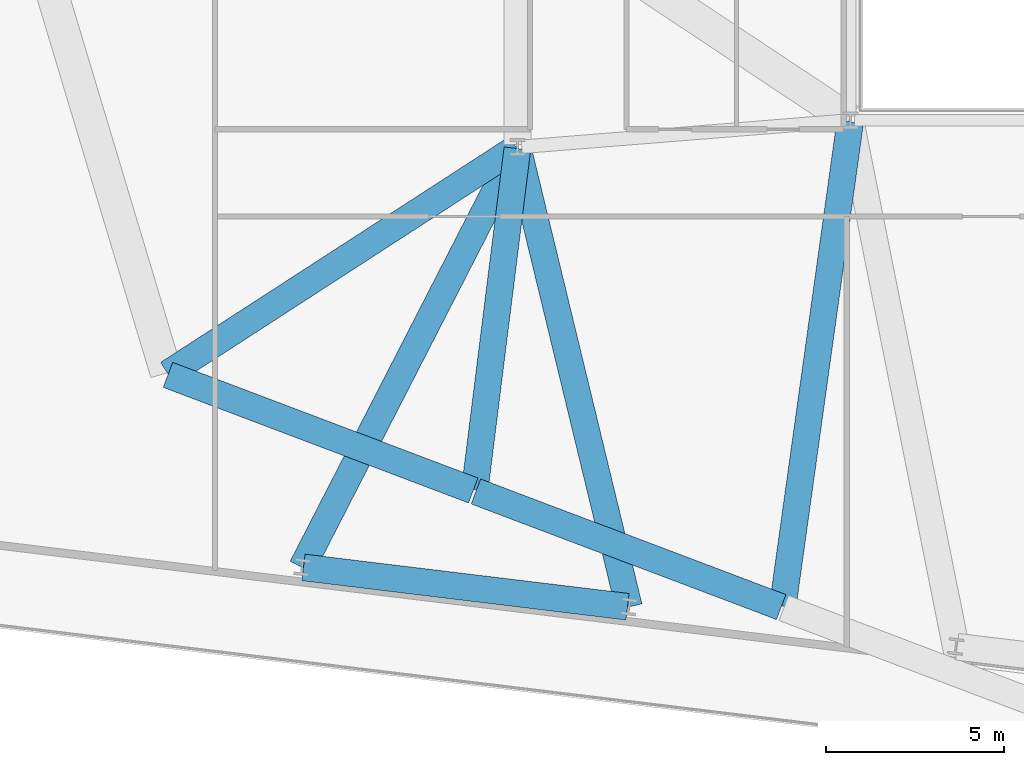
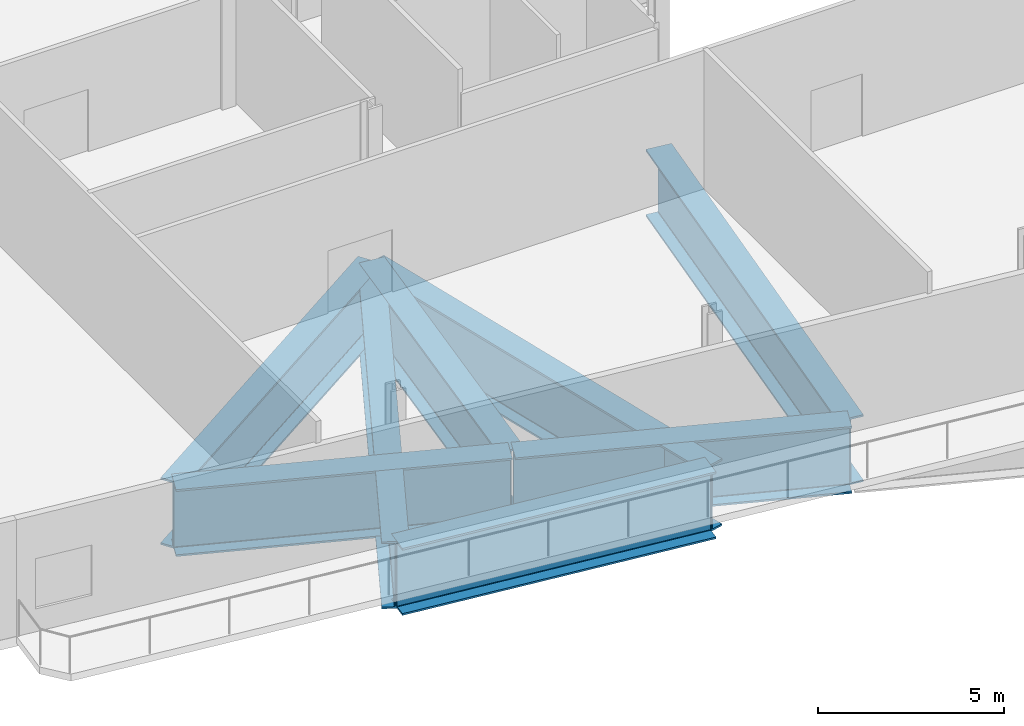
# One storey, part 3 of 22: 8 beams.
"""IFC4 building model written with IfcOpenShell, lengths in metres."""

from ifc_helpers import new_model, si_unit, direction, frame, origin, origin_2d, place, context, subcontext, project, spatial, i_section, extrude, material, material_profile, profile_set, type_object, element, save


model = new_model("IFC4")

# Units and contexts
model_context = context("Model", 3, precision=1e-05, world=origin(), true_north=direction((0.0, 1.0)))
body_context = subcontext(model_context, "Body", "Model", "MODEL_VIEW")
ifc_project = project(units=[si_unit("LENGTHUNIT", "METRE"), si_unit("AREAUNIT", "SQUARE_METRE"), si_unit("VOLUMEUNIT", "CUBIC_METRE"), si_unit("PLANEANGLEUNIT", "RADIAN"), si_unit("MASSUNIT", "GRAM", prefix="KILO")], contexts=[model_context])

# Site, building, storey
site_placement = place(None, origin())
site = spatial("IfcSite", under=ifc_project, at=site_placement, CompositionType="ELEMENT")
building_placement = place(site_placement, origin())
building = spatial("IfcBuilding", under=site, at=building_placement, Name="Varnelok Gate Tower", CompositionType="ELEMENT")
storey_placement = place(building_placement, frame((0.0, 0.0, 116.89990234375)))
storey = spatial("IfcBuildingStorey", under=building, at=storey_placement, Name="L29", CompositionType="ELEMENT", Elevation=116.89990234375)

# Beams
ifc_material = material(Name="Structural Steel ASTM A572 Grade 50", Category="steel")
ifc_material_profile = material_profile(ifc_material, i_section(OverallWidth=0.75, OverallDepth=2.199951171875, WebThickness=0.031982421875, FlangeThickness=0.06005859375, FilletRadius=0.028076171875, at=origin_2d()), Name="PG2200X750")
ifc_profile_set = profile_set([ifc_material_profile], Name="Structural Steel ASTM A572 Grade 50")
beam_type = type_object("IfcBeamType", Name="BM-TR-PG2200", PredefinedType="BEAM", material=ifc_profile_set)
for number, where, z_axis, x_axis, name in (
    (1, (14.578369140625, 12.402099609375, -1.419921875), (0.935227177902, -0.354048196878, 0.0), (0.354048196878, 0.935227177902, 0.0), "L29 Transfer Support Ring Girder 1"),
    (2, (23.229248046875, 9.126953125, -1.419921875), (0.935227177902, -0.354048196878, 0.0), (0.354048196878, 0.935227177902, 0.0), "L29 Transfer Support Ring Girder 2"),
):
    element("IfcBeam", number, at=place(storey_placement, frame(where, z_axis=z_axis, x_axis=x_axis)), inside=storey, type_object=beam_type, Name=name, PredefinedType="BEAM", context=body_context, shape_type="SweptSolid", body=[
        extrude(i_section(OverallWidth=0.75, OverallDepth=2.199951171875, WebThickness=0.031982421875, FlangeThickness=0.06005859375, FilletRadius=0.028076171875, at=origin_2d()), origin(), (0.0, 0.0, 1.0), 9.169921875),
    ])
beam_1_placement = place(storey_placement, frame((24.366455078125, 18.7783203125, -1.419921875), z_axis=(-0.839394361718, -0.54352286568, 0.0), x_axis=(0.54352286568, -0.839394361718, 0.0)))
element("IfcBeam", 3, at=beam_1_placement, inside=storey, type_object=beam_type, Name="L29 Radial Transfer Main Girder 1", PredefinedType="BEAM", context=body_context, shape_type="SweptSolid", body=[
    extrude(i_section(OverallWidth=0.75, OverallDepth=2.199951171875, WebThickness=0.031982421875, FlangeThickness=0.06005859375, FilletRadius=0.028076171875, at=origin_2d()), origin(), (0.0, 0.0, 1.0), 11.665283203125),
])
beam_2_placement = place(storey_placement, frame((24.39501953125, 18.76025390625, -1.419921875), z_axis=(-0.12411877168, -0.992267368463, 0.0), x_axis=(0.992267368463, -0.12411877168, 0.0)))
element("IfcBeam", 4, at=beam_2_placement, inside=storey, type_object=beam_type, Name="L29 Radial Transfer Main Girder 2", PredefinedType="BEAM", context=body_context, shape_type="SweptSolid", body=[
    extrude(i_section(OverallWidth=0.75, OverallDepth=2.199951171875, WebThickness=0.031982421875, FlangeThickness=0.06005859375, FilletRadius=0.028076171875, at=origin_2d()), origin(), (0.0, 0.0, 1.0), 9.654052734375),
])
beam_3_placement = place(storey_placement, frame((33.744384765625, 19.510498046875, -1.419921875), z_axis=(-0.138046422162, -0.990425759625, 0.0), x_axis=(0.990425759625, -0.138046422162, 0.0)))
element("IfcBeam", 5, at=beam_3_placement, inside=storey, type_object=beam_type, Name="L29 Radial Transfer Main Girder 3", PredefinedType="BEAM", context=body_context, shape_type="SweptSolid", body=[
    extrude(i_section(OverallWidth=0.75, OverallDepth=2.199951171875, WebThickness=0.031982421875, FlangeThickness=0.06005859375, FilletRadius=0.028076171875, at=origin_2d()), origin(), (0.0, 0.0, 1.0), 13.736328125),
])
beam_4_placement = place(storey_placement, frame((24.3544921875, 18.7109375, -1.419921875), z_axis=(-0.456402482206, -0.889773439835, 0.0), x_axis=(0.889773439835, -0.456402482206, 0.0)))
element("IfcBeam", 6, at=beam_4_placement, inside=storey, type_object=beam_type, Name="L29 Column Transfer Carrier Girder 1", PredefinedType="BEAM", context=body_context, shape_type="SweptSolid", body=[
    extrude(i_section(OverallWidth=0.75, OverallDepth=2.199951171875, WebThickness=0.031982421875, FlangeThickness=0.06005859375, FilletRadius=0.028076171875, at=origin_2d()), origin(), (0.0, 0.0, 1.0), 13.16552734375),
])
beam_5_placement = place(storey_placement, frame((24.423583984375, 18.702880859375, -1.419921875), z_axis=(0.235404009402, -0.971897603844, 0.0), x_axis=(0.971897603844, 0.235404009402, 0.0)))
element("IfcBeam", 7, at=beam_5_placement, inside=storey, type_object=beam_type, Name="L29 Column Transfer Carrier Girder 2", PredefinedType="BEAM", context=body_context, shape_type="SweptSolid", body=[
    extrude(i_section(OverallWidth=0.75, OverallDepth=2.199951171875, WebThickness=0.031982421875, FlangeThickness=0.06005859375, FilletRadius=0.028076171875, at=origin_2d()), origin(), (0.0, 0.0, 1.0), 13.18994140625),
])
beam_6_placement = place(storey_placement, frame((18.385498046875, 6.991943359375, -1.419921875), z_axis=(0.992729444446, -0.120367147219, 0.0), x_axis=(0.120367147219, 0.992729444446, 0.0)))
element("IfcBeam", 8, at=beam_6_placement, inside=storey, type_object=beam_type, Name="L29 Upper Perimeter Transfer Ring 1", PredefinedType="BEAM", context=body_context, shape_type="SweptSolid", body=[
    extrude(i_section(OverallWidth=0.75, OverallDepth=2.199951171875, WebThickness=0.031982421875, FlangeThickness=0.06005859375, FilletRadius=0.028076171875, at=origin_2d()), origin(), (0.0, 0.0, 1.0), 9.169921875),
])

save(model, "model.ifc")
